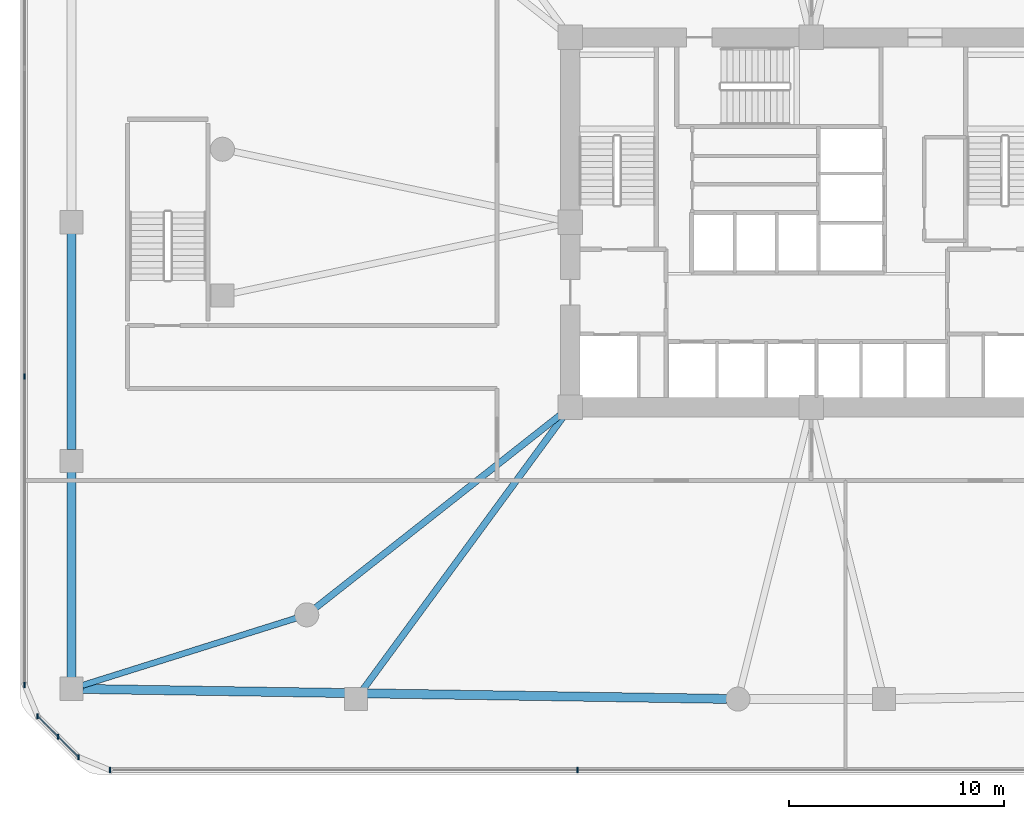
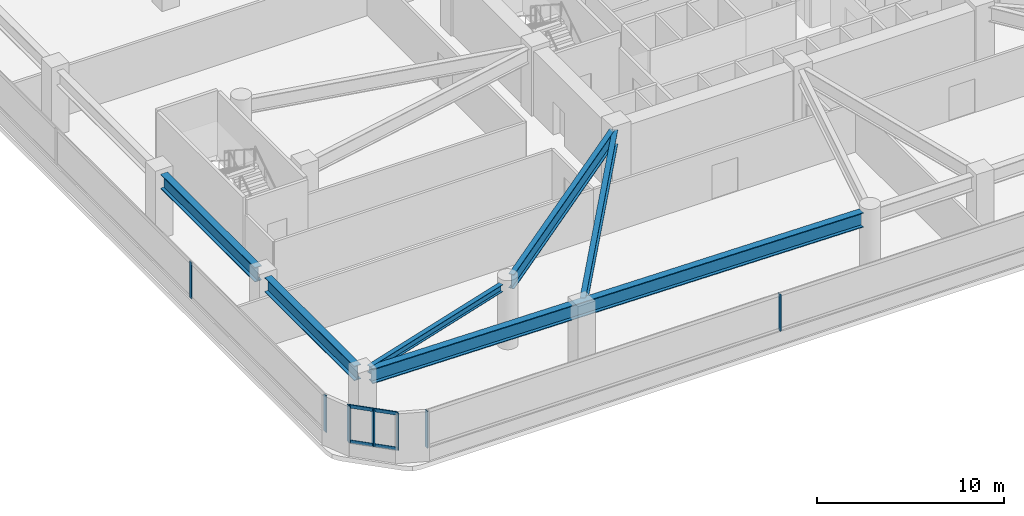
# One storey, part 2 of 21: 9 members, 6 beams, 3 elements without a shape of their own.
"""IFC4 building model written with IfcOpenShell, lengths in metres."""

from ifc_helpers import new_model, si_unit, derived_unit, direction, frame, origin, origin_2d, place, context, subcontext, project, spatial, rectangle, i_section, extrude, material, material_profile, profile_set, type_object, element, aggregate, save


model = new_model("IFC4")

# Units and contexts
model_context = context("Model", 3, precision=1e-05, world=origin(), true_north=direction((0.0, 1.0)))
body_context = subcontext(model_context, "Body", "Model", "MODEL_VIEW")
ifc_project = project(units=[si_unit("LENGTHUNIT", "METRE"), si_unit("AREAUNIT", "SQUARE_METRE"), si_unit("VOLUMEUNIT", "CUBIC_METRE"), si_unit("PLANEANGLEUNIT", "RADIAN"), si_unit("MASSUNIT", "GRAM", prefix="KILO"), derived_unit("THERMALTRANSMITTANCEUNIT", [(si_unit("POWERUNIT", "WATT"), 1), (si_unit("LENGTHUNIT", "METRE"), -2), (si_unit("THERMODYNAMICTEMPERATUREUNIT", "KELVIN"), -1)])], contexts=[model_context])

# Site, building, storey
site_placement = place(None, origin())
site = spatial("IfcSite", under=ifc_project, at=site_placement, CompositionType="ELEMENT")
building_placement = place(site_placement, origin())
building = spatial("IfcBuilding", under=site, at=building_placement, Name="Koralith Skygarden Medical Center", CompositionType="ELEMENT")
storey_placement = place(building_placement, frame((0.0, 0.0, 14.39990234375)))
storey = spatial("IfcBuildingStorey", under=building, at=storey_placement, Name="L03", CompositionType="ELEMENT", Elevation=14.39990234375)

# Curtain wall, members
ifc_material_1 = material(Name="Clear Laminated Glass", Category="glass")
curtain_wall_type = type_object("IfcCurtainWallType", Name="CW-1 Transit & Podium Acoustic Curtain Wall", PredefinedType="NOTDEFINED", material=ifc_material_1)
curtain_wall_1_placement = place(storey_placement, origin())
curtain_wall_1 = element("IfcCurtainWall", 1, at=curtain_wall_1_placement, inside=storey, type_object=curtain_wall_type, Name="Curtain Wall CW-L03-S", PredefinedType="NOTDEFINED")
ifc_material_2 = material(Name="Aluminium 6063-T6", Category="aluminium")
ifc_material_profile_1 = material_profile(ifc_material_2, rectangle(XDim=0.068115234375, YDim=0.239990234375, at=origin_2d()), Name="MUL68X240")
ifc_profile_set_1 = profile_set([ifc_material_profile_1], Name="Aluminium 6063-T6")
member_type_1 = type_object("IfcMemberType", Name="CW-1 Extruded Mullion 68x240", PredefinedType="MULLION", material=ifc_profile_set_1)
member_1_placement = place(storey_placement, frame((4.37890625, 0.419921875, 0.85009765625), z_axis=(0.0, 0.0, 1.0), x_axis=(1.0, 0.0, 0.0)))
member_1 = element("IfcMember", 2, at=member_1_placement, type_object=member_type_1, Name="CW-L03-S Mullion 1", PredefinedType="MULLION", context=body_context, shape_type="SweptSolid", body=[
    extrude(rectangle(XDim=0.068115234375, YDim=0.239990234375, at=origin_2d()), origin(), (0.0, 0.0, 1.0), 2.389892578125),
])
member_2_placement = place(storey_placement, frame((26.1259765625, 0.419921875, 0.85009765625), z_axis=(0.0, 0.0, 1.0), x_axis=(1.0, 0.0, 0.0)))
member_2 = element("IfcMember", 3, at=member_2_placement, type_object=member_type_1, Name="CW-L03-S Mullion 2", PredefinedType="MULLION", context=body_context, shape_type="SweptSolid", body=[
    extrude(rectangle(XDim=0.068115234375, YDim=0.239990234375, at=origin_2d()), origin(), (0.0, 0.0, 1.0), 2.389892578125),
])
aggregate(curtain_wall_1, [member_1, member_2])

curtain_wall_2_placement = place(storey_placement, origin())
curtain_wall_2 = element("IfcCurtainWall", 4, at=curtain_wall_2_placement, inside=storey, type_object=curtain_wall_type, Name="Curtain Wall CW-L03-W", PredefinedType="NOTDEFINED")
member_3_placement = place(storey_placement, frame((0.419921875, 18.72607421875, 0.85009765625), z_axis=(0.0, 0.0, 1.0), x_axis=(1.0, 0.0, 0.0)))
member_3 = element("IfcMember", 5, at=member_3_placement, type_object=member_type_1, Name="CW-L03-W Mullion 3", PredefinedType="MULLION", context=body_context, shape_type="SweptSolid", body=[
    extrude(rectangle(XDim=0.068115234375, YDim=0.239990234375, at=origin_2d()), origin(), (0.0, 0.0, 1.0), 2.389892578125),
])
member_4_placement = place(storey_placement, frame((0.419921875, 4.37890625, 0.85009765625), z_axis=(0.0, 0.0, 1.0), x_axis=(1.0, 0.0, 0.0)))
member_4 = element("IfcMember", 6, at=member_4_placement, type_object=member_type_1, Name="CW-L03-W Mullion 4", PredefinedType="MULLION", context=body_context, shape_type="SweptSolid", body=[
    extrude(rectangle(XDim=0.068115234375, YDim=0.239990234375, at=origin_2d()), origin(), (0.0, 0.0, 1.0), 2.389892578125),
])
aggregate(curtain_wall_2, [member_3, member_4])

curtain_wall_3_placement = place(storey_placement, origin())
curtain_wall_3 = element("IfcCurtainWall", 7, at=curtain_wall_3_placement, inside=storey, type_object=curtain_wall_type, Name="Curtain Wall CW-L03-SW", PredefinedType="NOTDEFINED")
member_5_placement = place(storey_placement, frame((1.02099609375, 2.927978515625, 0.85009765625), z_axis=(0.0, 0.0, 1.0), x_axis=(1.0, 0.0, 0.0)))
member_5 = element("IfcMember", 8, at=member_5_placement, type_object=member_type_1, Name="CW-L03-SW Mullion 1", PredefinedType="MULLION", context=body_context, shape_type="SweptSolid", body=[
    extrude(rectangle(XDim=0.068115234375, YDim=0.239990234375, at=origin_2d()), origin(), (0.0, 0.0, 1.0), 2.389892578125),
])
member_6_placement = place(storey_placement, frame((1.97412109375, 1.97412109375, 0.85009765625), z_axis=(0.0, 0.0, 1.0), x_axis=(1.0, 0.0, 0.0)))
member_6 = element("IfcMember", 9, at=member_6_placement, type_object=member_type_1, Name="CW-L03-SW Mullion 2", PredefinedType="MULLION", context=body_context, shape_type="SweptSolid", body=[
    extrude(rectangle(XDim=0.068115234375, YDim=0.239990234375, at=origin_2d()), origin(), (0.0, 0.0, 1.0), 2.389892578125),
])
member_7_placement = place(storey_placement, frame((2.927978515625, 1.02099609375, 0.85009765625), z_axis=(0.0, 0.0, 1.0), x_axis=(1.0, 0.0, 0.0)))
member_7 = element("IfcMember", 10, at=member_7_placement, type_object=member_type_1, Name="CW-L03-SW Mullion 3", PredefinedType="MULLION", context=body_context, shape_type="SweptSolid", body=[
    extrude(rectangle(XDim=0.068115234375, YDim=0.239990234375, at=origin_2d()), origin(), (0.0, 0.0, 1.0), 2.389892578125),
])
ifc_material_profile_2 = material_profile(ifc_material_2, rectangle(XDim=0.06298828125, YDim=0.216064453125, at=origin_2d()), Name="TRN63X216")
ifc_profile_set_2 = profile_set([ifc_material_profile_2], Name="Aluminium 6063-T6")
member_type_2 = type_object("IfcMemberType", Name="CW-1 Thermal Transom 63x216", PredefinedType="USERDEFINED", material=ifc_profile_set_2)
member_8_placement = place(storey_placement, frame((1.02099609375, 2.927978515625, 0.900146484375), z_axis=(0.707106781187, -0.707106781187, 0.0), x_axis=(0.707106781187, 0.707106781187, 0.0)))
member_8 = element("IfcMember", 11, at=member_8_placement, type_object=member_type_2, Name="CW-L03-SW Transom 1", ObjectType="TRANSOM", PredefinedType="USERDEFINED", context=body_context, shape_type="SweptSolid", body=[
    extrude(rectangle(XDim=0.06298828125, YDim=0.216064453125, at=origin_2d()), origin(), (0.0, 0.0, 1.0), 2.69677734375),
])
member_9_placement = place(storey_placement, frame((1.02099609375, 2.927978515625, 3.190185546875), z_axis=(0.707106781187, -0.707106781187, 0.0), x_axis=(0.707106781187, 0.707106781187, 0.0)))
member_9 = element("IfcMember", 12, at=member_9_placement, type_object=member_type_2, Name="CW-L03-SW Transom 2", ObjectType="TRANSOM", PredefinedType="USERDEFINED", context=body_context, shape_type="SweptSolid", body=[
    extrude(rectangle(XDim=0.06298828125, YDim=0.216064453125, at=origin_2d()), origin(), (0.0, 0.0, 1.0), 2.69677734375),
])
aggregate(curtain_wall_3, [member_5, member_6, member_7, member_8, member_9])

# Beams
ifc_material_3 = material(Name="Steel ASTM A992 Grade 50", Category="steel")
ifc_material_profile_3 = material_profile(ifc_material_3, i_section(OverallWidth=0.423095703125, OverallDepth=0.947998046875, WebThickness=0.02392578125, FlangeThickness=0.042724609375, at=origin_2d()), Name="W36X302")
ifc_profile_set_3 = profile_set([ifc_material_profile_3], Name="Steel ASTM A992 Grade 50")
beam_type_1 = type_object("IfcBeamType", Name="Podium Concourse Girder W36X302", PredefinedType="BEAM", material=ifc_profile_set_3)
beam_1_placement = place(storey_placement, frame((2.60009765625, 14.280029296875, 3.72607421875), z_axis=(0.0, -1.0, 0.0), x_axis=(1.0, 0.0, 0.0)))
element("IfcBeam", 13, at=beam_1_placement, inside=storey, type_object=beam_type_1, Name="L03 Podium Perimeter Beam PB-01", PredefinedType="BEAM", context=body_context, shape_type="SweptSolid", body=[
    extrude(i_section(OverallWidth=0.423095703125, OverallDepth=0.947998046875, WebThickness=0.02392578125, FlangeThickness=0.042724609375, at=origin_2d()), origin(), (0.0, 0.0, 1.0), 9.56005859375),
])
beam_2_placement = place(storey_placement, frame((3.1201171875, 4.19189453125, 3.72607421875), z_axis=(0.999880161393, -0.015481048165, 0.0), x_axis=(0.015481048165, 0.999880161393, 0.0)))
element("IfcBeam", 14, at=beam_2_placement, inside=storey, type_object=beam_type_1, Name="L03 Podium Perimeter Beam PB-02", PredefinedType="BEAM", context=body_context, shape_type="SweptSolid", body=[
    extrude(i_section(OverallWidth=0.423095703125, OverallDepth=0.947998046875, WebThickness=0.02392578125, FlangeThickness=0.042724609375, at=origin_2d()), origin(), (0.0, 0.0, 1.0), 29.963623046875),
])
beam_3_placement = place(storey_placement, frame((2.60009765625, 25.3798828125, 3.72607421875), z_axis=(0.0, -1.0, 0.0), x_axis=(1.0, 0.0, 0.0)))
element("IfcBeam", 15, at=beam_3_placement, inside=storey, type_object=beam_type_1, Name="L03 Podium Perimeter Beam PB-14", PredefinedType="BEAM", context=body_context, shape_type="SweptSolid", body=[
    extrude(i_section(OverallWidth=0.423095703125, OverallDepth=0.947998046875, WebThickness=0.02392578125, FlangeThickness=0.042724609375, at=origin_2d()), origin(), (0.0, 0.0, 1.0), 10.059814453125),
])
ifc_material_profile_4 = material_profile(ifc_material_3, i_section(OverallWidth=0.281982421875, OverallDepth=0.467041015625, WebThickness=0.01220703125, FlangeThickness=0.01953125, at=origin_2d()), Name="W18X86")
ifc_profile_set_4 = profile_set([ifc_material_profile_4], Name="Steel ASTM A992 Grade 50")
beam_type_2 = type_object("IfcBeamType", Name="Podium Floor Joist W18X86", PredefinedType="JOIST", material=ifc_profile_set_4)
beam_4_placement = place(storey_placement, frame((13.0439453125, 7.48388671875, 3.967041015625), z_axis=(-0.953954869198, -0.299950175084, 0.0), x_axis=(0.299950175084, -0.953954869198, 0.0)))
element("IfcBeam", 16, at=beam_4_placement, inside=storey, type_object=beam_type_2, Name="L03 Podium Floor Joist PJ-01", PredefinedType="JOIST", context=body_context, shape_type="SweptSolid", body=[
    extrude(i_section(OverallWidth=0.281982421875, OverallDepth=0.467041015625, WebThickness=0.01220703125, FlangeThickness=0.01953125, at=origin_2d()), origin(), (0.0, 0.0, 1.0), 10.42822265625),
])
ifc_material_profile_5 = material_profile(ifc_material_3, i_section(OverallWidth=0.30810546875, OverallDepth=0.943115234375, WebThickness=0.022216796875, FlangeThickness=0.039794921875, at=origin_2d()), Name="W36X232")
ifc_profile_set_5 = profile_set([ifc_material_profile_5], Name="Steel ASTM A992 Grade 50")
beam_type_3 = type_object("IfcBeamType", Name="Surgical Platform Girder W36X232", PredefinedType="BEAM", material=ifc_profile_set_5)
beam_5_placement = place(storey_placement, frame((25.360107421875, 16.952880859375, 3.72900390625), z_axis=(-0.785504791859, -0.618855574401, 0.0), x_axis=(0.618855574401, -0.785504791859, 0.0)))
element("IfcBeam", 17, at=beam_5_placement, inside=storey, type_object=beam_type_3, Name="L03 Podium Radial Girder PRG-02", PredefinedType="BEAM", context=body_context, shape_type="SweptSolid", body=[
    extrude(i_section(OverallWidth=0.30810546875, OverallDepth=0.943115234375, WebThickness=0.022216796875, FlangeThickness=0.039794921875, at=origin_2d()), origin(), (0.0, 0.0, 1.0), 14.5283203125),
])
beam_6_placement = place(storey_placement, frame((25.468994140625, 16.84912109375, 3.72900390625), z_axis=(-0.59170530555, -0.806154347122, 0.0), x_axis=(0.806154347122, -0.59170530555, 0.0)))
element("IfcBeam", 18, at=beam_6_placement, inside=storey, type_object=beam_type_3, Name="L03 Podium Radial Girder PRG-03", PredefinedType="BEAM", context=body_context, shape_type="SweptSolid", body=[
    extrude(i_section(OverallWidth=0.30810546875, OverallDepth=0.943115234375, WebThickness=0.022216796875, FlangeThickness=0.039794921875, at=origin_2d()), origin(), (0.0, 0.0, 1.0), 15.766357421875),
])

save(model, "model.ifc")
